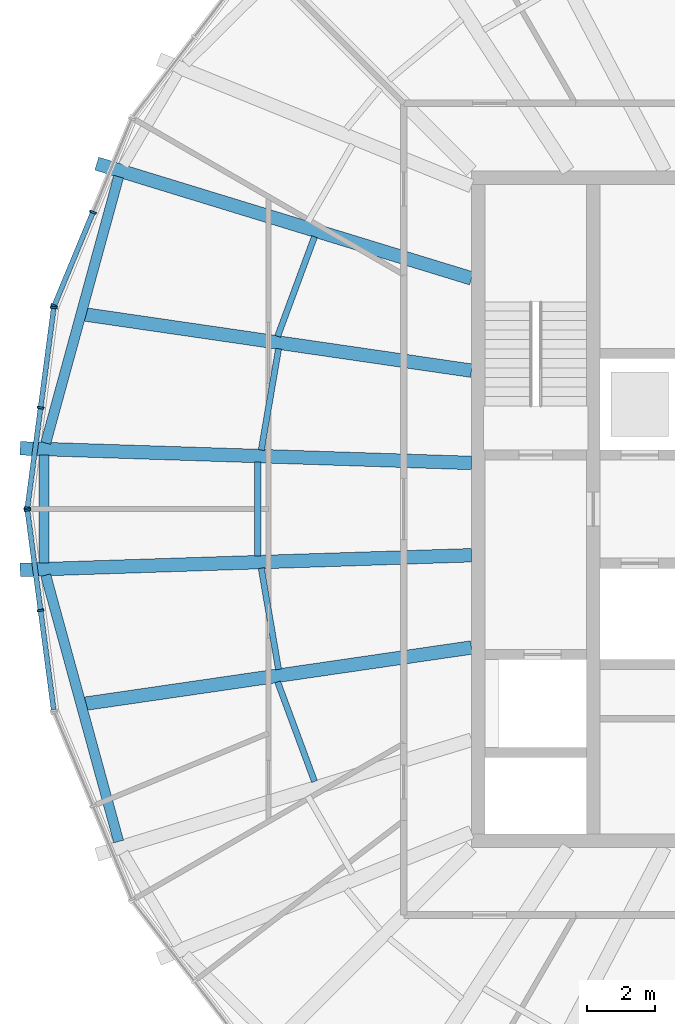
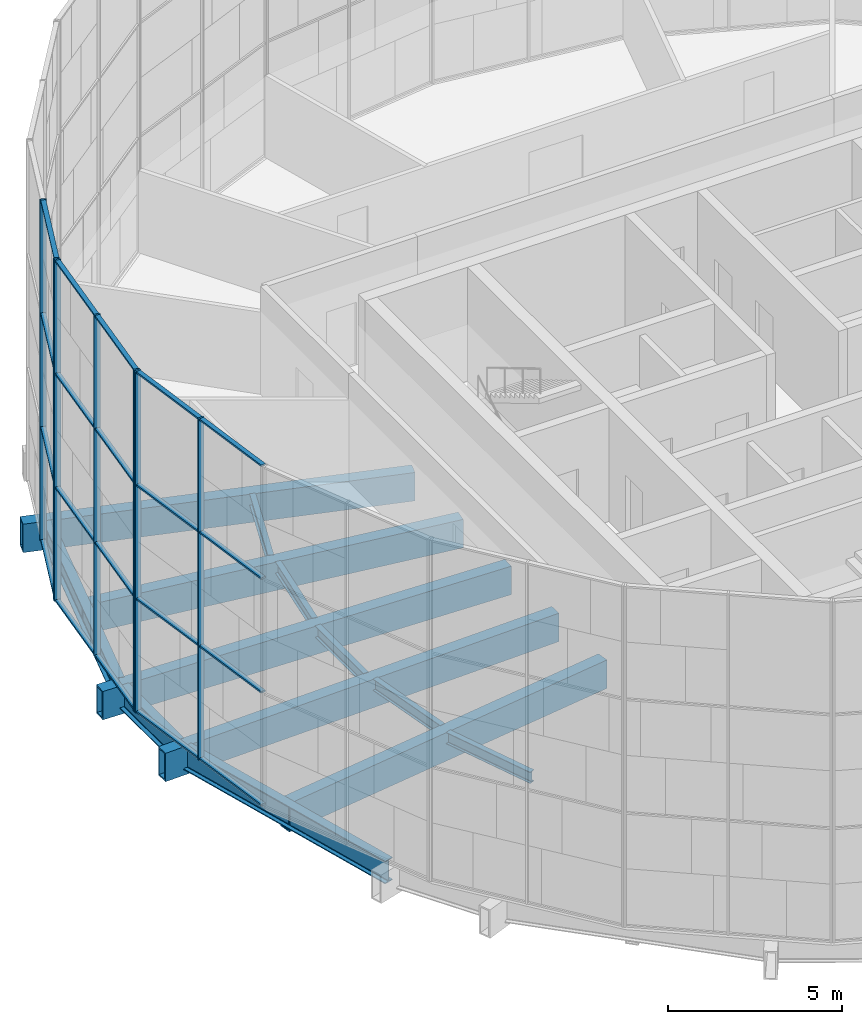
# One storey, part 3 of 23: 27 members, 13 beams, 3 elements without a shape of their own.
"""IFC4 building model written with IfcOpenShell, lengths in metres."""

import ifcopenshell
import ifcopenshell.guid

model = None  # the IFC model being written
_history = None  # IfcOwnerHistory: only IFC2X3 demands one
_inside = {}  # id of a spatial element -> (the spatial element, [elements in it])
_under = {}  # id of a project, library or spatial element -> (it, [spatial elements below it])
_declared = {}  # id of a project -> (the project, [libraries it declares])
_typed = {}  # id of a type object -> (the type object, [elements of that type])
_made_of = {}  # id of a material, layer set ... -> (it, [elements and type objects made of it])


def new_model(schema):
    """Start an empty IFC model of exactly this schema.

    Asked for "IFC4X3", IfcOpenShell would pick the latest addendum, in which some entities
    have other attributes; the version numbers below select the first issue.
    IFC2X3 requires an IfcOwnerHistory on every rooted entity: one is made here for all.
    """
    global model, _history
    if schema == "IFC4X3":
        model = ifcopenshell.file(schema_version=(4, 3, 0, 0))
    else:
        model = ifcopenshell.file(schema=schema)
    _inside.clear()
    _under.clear()
    _declared.clear()
    _typed.clear()
    _made_of.clear()
    _history = None
    if model.schema == "IFC2X3":
        org = make("IfcOrganization", Name="unknown")
        user = make(
            "IfcPersonAndOrganization",
            ThePerson=make("IfcPerson", FamilyName="unknown"),
            TheOrganization=org,
        )
        app = make(
            "IfcApplication",
            ApplicationDeveloper=org,
            Version="unknown",
            ApplicationFullName="unknown",
            ApplicationIdentifier="unknown",
        )
        _history = make(
            "IfcOwnerHistory",
            OwningUser=user,
            OwningApplication=app,
            ChangeAction="ADDED",
            CreationDate=0,
        )
    return model


def make(cls, **values):
    """One entity of the class cls with the attributes given. An attribute that is None is left unset."""
    return model.create_entity(
        cls, **{name: value for name, value in values.items() if value is not None}
    )


def rooted(cls, **values):
    """An entity with a GlobalId (a new one), such as an element, a storey or a relation."""
    return make(cls, GlobalId=ifcopenshell.guid.new(), OwnerHistory=_history, **values)


def si_unit(unit_type, name, prefix=None):
    """IfcSIUnit, for example si_unit("LENGTHUNIT", "METRE", prefix="MILLI")."""
    return make("IfcSIUnit", UnitType=unit_type, Prefix=prefix, Name=name)


def assignment(units):
    """IfcUnitAssignment: the units of a project."""
    return None if units is None else make("IfcUnitAssignment", Units=units)


def point(xyz):
    """IfcCartesianPoint."""
    return None if xyz is None else make("IfcCartesianPoint", Coordinates=xyz)


def direction(xyz):
    """IfcDirection."""
    return None if xyz is None else make("IfcDirection", DirectionRatios=xyz)


def frame(location, z_axis=None, x_axis=None):
    """IfcAxis2Placement3D, a coordinate frame: its origin and axes. An axis left out is left unset."""
    return make(
        "IfcAxis2Placement3D",
        Location=point(location),
        Axis=direction(z_axis),
        RefDirection=direction(x_axis),
    )


def frame_2d(location, x_axis=None):
    """IfcAxis2Placement2D, a coordinate frame in the plane: its origin and x axis."""
    return make(
        "IfcAxis2Placement2D", Location=point(location), RefDirection=direction(x_axis)
    )


def origin():
    """The frame at (0, 0, 0) with its axes left unset."""
    return frame((0.0, 0.0, 0.0))


def origin_2d():
    """The frame at (0, 0) in the plane with its x axis left unset."""
    return frame_2d((0.0, 0.0))


def place(relative_to, where):
    """IfcLocalPlacement: puts the frame where relative to a parent placement (None: the world)."""
    return make(
        "IfcLocalPlacement", PlacementRelTo=relative_to, RelativePlacement=where
    )


def context(
    kind, dimensions, precision=None, world=None, true_north=None, identifier=None
):
    """IfcGeometricRepresentationContext, for example the 3D "Model" context."""
    return make(
        "IfcGeometricRepresentationContext",
        ContextIdentifier=identifier,
        ContextType=kind,
        CoordinateSpaceDimension=dimensions,
        Precision=precision,
        WorldCoordinateSystem=world,
        TrueNorth=true_north,
    )


def subcontext(parent, identifier, kind, view, scale=None):
    """IfcGeometricRepresentationSubContext, for example "Body" below "Model"."""
    return make(
        "IfcGeometricRepresentationSubContext",
        ContextIdentifier=identifier,
        ContextType=kind,
        ParentContext=parent,
        TargetScale=scale,
        TargetView=view,
    )


def project(units=None, contexts=None):
    """IfcProject with its units and contexts."""
    return rooted(
        "IfcProject",
        Name="project",
        RepresentationContexts=contexts,
        UnitsInContext=assignment(units),
    )


def spatial(cls, under=None, at=None, **own):
    """A site, building, storey or space (cls), placed at a placement, below another one or the project."""
    s = rooted(cls, ObjectPlacement=at, **own)
    if under is not None:
        _under.setdefault(under.id(), (under, []))[1].append(s)
    return s


def profile(cls, at=None, kind="AREA", **sizes):
    """A parametric profile (cls). Its sizes go by their IFC names, for example OverallWidth=200.0."""
    return make(cls, ProfileType=kind, Position=at, **sizes)


def rectangle(**sizes):
    """IfcRectangleProfileDef."""
    return profile("IfcRectangleProfileDef", **sizes)


def hollow_rectangle(**sizes):
    """IfcRectangleHollowProfileDef."""
    return profile("IfcRectangleHollowProfileDef", **sizes)


def i_section(**sizes):
    """IfcIShapeProfileDef."""
    return profile("IfcIShapeProfileDef", **sizes)


def extrude(swept, where, along, depth):
    """IfcExtrudedAreaSolid: the profile swept, set in the frame where, extruded along a direction by depth."""
    return make(
        "IfcExtrudedAreaSolid",
        SweptArea=swept,
        Position=where,
        ExtrudedDirection=direction(along),
        Depth=depth,
    )


def shape(context_of_items, identifier, shape_type, items):
    """IfcShapeRepresentation: the items that make up one representation, for example the "Body"."""
    return make(
        "IfcShapeRepresentation",
        ContextOfItems=context_of_items,
        RepresentationIdentifier=identifier,
        RepresentationType=shape_type,
        Items=items,
    )


def material(Name=None, Category=None):
    """IfcMaterial."""
    return make("IfcMaterial", Name=Name, Category=Category)


def material_profile(
    of_material, cross_section, Name=None, Category=None, Priority=None
):
    """IfcMaterialProfile: a cross section and its material."""
    return make(
        "IfcMaterialProfile",
        Name=Name,
        Material=of_material,
        Profile=cross_section,
        Priority=Priority,
        Category=Category,
    )


def profile_set(profiles, Name=None, composite=None):
    """IfcMaterialProfileSet."""
    return make(
        "IfcMaterialProfileSet",
        Name=Name,
        MaterialProfiles=profiles,
        CompositeProfile=composite,
    )


def made_of(thing, what):
    """Note that an element or type object is made of a material, layer set ...; save() writes the relation."""
    if what is not None:
        _made_of.setdefault(what.id(), (what, []))[1].append(thing)
    return thing


def type_object(cls, material=None, **own):
    """A type object (cls), such as IfcWallType, which elements share."""
    return made_of(rooted(cls, **own), material)


def element(
    cls,
    number,
    at=None,
    inside=None,
    cuts=None,
    type_object=None,
    material=None,
    context=None,
    identifier="Body",
    shape_type=None,
    held_by="IfcProductDefinitionShape",
    body=None,
    shapes=None,
    **own,
):
    """One element of the class cls, such as IfcWall. Its Tag is "e" and its number.

    at: its placement. inside: the storey or other place that contains it. cuts: it is an
    opening in that element (IfcRelVoidsElement). A single representation is given by context,
    identifier, shape_type and body (its items); several are given by shapes. held_by: the class
    of the entity that holds the representations. save() writes the other relations.
    """
    e = rooted(cls, Tag="e%d" % number, ObjectPlacement=at, **own)
    if body is not None:
        shapes = [shape(context, identifier, shape_type, body)]
    if shapes is not None:
        e.Representation = make(held_by, Representations=shapes)
    if inside is not None:
        _inside.setdefault(inside.id(), (inside, []))[1].append(e)
    if cuts is not None:
        rooted(
            "IfcRelVoidsElement", RelatingBuildingElement=cuts, RelatedOpeningElement=e
        )
    if type_object is not None:
        _typed.setdefault(type_object.id(), (type_object, []))[1].append(e)
    return made_of(e, material)


def aggregate(whole, parts):
    """IfcRelAggregates: a whole, such as a stair, and the parts it consists of."""
    return rooted("IfcRelAggregates", RelatingObject=whole, RelatedObjects=parts)


def save(model, path):
    """Write the relations noted so far, then the file.

    IfcRelAggregates (storeys below a building ...), IfcRelContainedInSpatialStructure (elements
    in a storey), IfcRelDefinesByType, IfcRelAssociatesMaterial and IfcRelDeclares: one each for
    every whole, place, type object, material and project.
    """
    for whole, parts in _under.values():
        aggregate(whole, parts)
    for where, things in _inside.values():
        rooted(
            "IfcRelContainedInSpatialStructure",
            RelatedElements=things,
            RelatingStructure=where,
        )
    for kind, things in _typed.values():
        rooted("IfcRelDefinesByType", RelatedObjects=things, RelatingType=kind)
    for what, things in _made_of.values():
        rooted("IfcRelAssociatesMaterial", RelatedObjects=things, RelatingMaterial=what)
    for by, libraries in _declared.values():
        rooted("IfcRelDeclares", RelatingContext=by, RelatedDefinitions=libraries)
    model.write(path)


model = new_model("IFC4")

# Units and contexts
model_context = context("Model", 3, precision=1e-05, world=origin(), true_north=direction((0.0, 1.0)))
body_context = subcontext(model_context, "Body", "Model", "MODEL_VIEW")
ifc_project = project(units=[si_unit("LENGTHUNIT", "METRE"), si_unit("AREAUNIT", "SQUARE_METRE"), si_unit("VOLUMEUNIT", "CUBIC_METRE"), si_unit("PLANEANGLEUNIT", "RADIAN"), si_unit("MASSUNIT", "GRAM", prefix="KILO")], contexts=[model_context])

# Site, building, storey
site_placement = place(None, origin())
site = spatial("IfcSite", under=ifc_project, at=site_placement, CompositionType="ELEMENT")
building_placement = place(site_placement, origin())
building = spatial("IfcBuilding", under=site, at=building_placement, Name="Golbaran Civic Tower", CompositionType="ELEMENT")
storey_placement = place(building_placement, frame((0.0, 0.0, 220.0)))
storey = spatial("IfcBuildingStorey", under=building, at=storey_placement, Name="L53", CompositionType="ELEMENT", Elevation=220.0)

# Beams
ifc_material_1 = material(Name="Steel S355", Category="steel")
ifc_material_profile_1 = material_profile(ifc_material_1, i_section(OverallWidth=0.300048828125, OverallDepth=0.800048828125, WebThickness=0.017578125, FlangeThickness=0.032958984375, FilletRadius=0.030029296875, at=origin_2d()), Name="HEB 800")
ifc_profile_set_1 = profile_set([ifc_material_profile_1], Name="Steel S355")
beam_type_1 = type_object("IfcBeamType", Name="EDGE BEAM HEB 800", PredefinedType="BEAM", material=ifc_profile_set_1)
beam_1_placement = place(storey_placement, frame((-20.431640625, 9.8291015625, -0.60009765625), z_axis=(-0.264038175498, -0.964512230031, 0.0), x_axis=(0.964512230031, -0.264038175498, 0.0)))
element("IfcBeam", 1, at=beam_1_placement, inside=storey, type_object=beam_type_1, Name="Edge beam 154.35 L53", PredefinedType="BEAM", context=body_context, shape_type="SweptSolid", body=[
    extrude(i_section(OverallWidth=0.300048828125, OverallDepth=0.800048828125, WebThickness=0.017578125, FlangeThickness=0.032958984375, FilletRadius=0.030029296875, at=origin_2d()), origin(), (0.0, 0.0, 1.0), 8.16552734375),
])
beam_2_placement = place(storey_placement, frame((-22.63671875, 1.5947265625, -0.60009765625), z_axis=(0.0, -1.0, 0.0), x_axis=(1.0, 0.0, 0.0)))
element("IfcBeam", 2, at=beam_2_placement, inside=storey, type_object=beam_type_1, Name="Edge beam 175.65 L53", PredefinedType="BEAM", context=body_context, shape_type="SweptSolid", body=[
    extrude(i_section(OverallWidth=0.300048828125, OverallDepth=0.800048828125, WebThickness=0.017578125, FlangeThickness=0.032958984375, FilletRadius=0.030029296875, at=origin_2d()), origin(), (0.0, 0.0, 1.0), 3.189453125),
])
beam_3_placement = place(storey_placement, frame((-22.587646484375, -1.953369140625, -0.60009765625), z_axis=(0.264038175498, -0.964512230031, 0.0), x_axis=(0.964512230031, 0.264038175498, 0.0)))
element("IfcBeam", 3, at=beam_3_placement, inside=storey, type_object=beam_type_1, Name="Edge beam 184.35 L53", PredefinedType="BEAM", context=body_context, shape_type="SweptSolid", body=[
    extrude(i_section(OverallWidth=0.300048828125, OverallDepth=0.800048828125, WebThickness=0.017578125, FlangeThickness=0.032958984375, FilletRadius=0.030029296875, at=origin_2d()), origin(), (0.0, 0.0, 1.0), 8.16552734375),
])
ifc_material_profile_2 = material_profile(ifc_material_1, i_section(OverallWidth=0.179931640625, OverallDepth=0.39990234375, WebThickness=0.008544921875, FlangeThickness=0.013427734375, FilletRadius=0.02099609375, at=origin_2d()), Name="IPE 400")
ifc_profile_set_2 = profile_set([ifc_material_profile_2], Name="Steel S355")
beam_type_2 = type_object("IfcBeamType", Name="FLOOR INFILL BEAM IPE 400", PredefinedType="BEAM", material=ifc_profile_set_2)
beam_4_placement = place(storey_placement, frame((-14.6396484375, 8.0546875, -0.39990234375), z_axis=(-0.347364974804, -0.9377300114, 0.0), x_axis=(0.9377300114, -0.347364974804, 0.0)))
element("IfcBeam", 4, at=beam_4_placement, inside=storey, type_object=beam_type_2, Name="Infill beam 159.67 L53", PredefinedType="BEAM", context=body_context, shape_type="SweptSolid", body=[
    extrude(i_section(OverallWidth=0.179931640625, OverallDepth=0.39990234375, WebThickness=0.008544921875, FlangeThickness=0.013427734375, FilletRadius=0.02099609375, at=origin_2d()), origin(), (0.0, 0.0, 1.0), 3.1416015625),
])
beam_5_placement = place(storey_placement, frame((-15.703857421875, 4.740966796875, -0.39990234375), z_axis=(-0.168046948827, -0.985778992975, 0.0), x_axis=(0.985778992975, -0.168046948827, 0.0)))
element("IfcBeam", 5, at=beam_5_placement, inside=storey, type_object=beam_type_2, Name="Infill beam 170.33 L53", PredefinedType="BEAM", context=body_context, shape_type="SweptSolid", body=[
    extrude(i_section(OverallWidth=0.179931640625, OverallDepth=0.39990234375, WebThickness=0.008544921875, FlangeThickness=0.013427734375, FilletRadius=0.02099609375, at=origin_2d()), origin(), (0.0, 0.0, 1.0), 3.037841796875),
])
beam_6_placement = place(storey_placement, frame((-16.318359375, 1.389404296875, -0.39990234375), z_axis=(0.0, -1.0, 0.0), x_axis=(1.0, 0.0, 0.0)))
element("IfcBeam", 6, at=beam_6_placement, inside=storey, type_object=beam_type_2, Name="Infill beam 180.00 L53", PredefinedType="BEAM", context=body_context, shape_type="SweptSolid", body=[
    extrude(i_section(OverallWidth=0.179931640625, OverallDepth=0.39990234375, WebThickness=0.008544921875, FlangeThickness=0.013427734375, FilletRadius=0.02099609375, at=origin_2d()), origin(), (0.0, 0.0, 1.0), 2.77880859375),
])
beam_7_placement = place(storey_placement, frame((-16.21435546875, -1.746337890625, -0.39990234375), z_axis=(0.168046948827, -0.985778992975, 0.0), x_axis=(0.985778992975, 0.168046948827, 0.0)))
element("IfcBeam", 7, at=beam_7_placement, inside=storey, type_object=beam_type_2, Name="Infill beam 189.67 L53", PredefinedType="BEAM", context=body_context, shape_type="SweptSolid", body=[
    extrude(i_section(OverallWidth=0.179931640625, OverallDepth=0.39990234375, WebThickness=0.008544921875, FlangeThickness=0.013427734375, FilletRadius=0.02099609375, at=origin_2d()), origin(), (0.0, 0.0, 1.0), 3.037841796875),
])
beam_8_placement = place(storey_placement, frame((-15.73095703125, -5.108642578125, -0.39990234375), z_axis=(0.347364974804, -0.9377300114, 0.0), x_axis=(0.9377300114, 0.347364974804, 0.0)))
element("IfcBeam", 8, at=beam_8_placement, inside=storey, type_object=beam_type_2, Name="Infill beam 200.33 L53", PredefinedType="BEAM", context=body_context, shape_type="SweptSolid", body=[
    extrude(i_section(OverallWidth=0.179931640625, OverallDepth=0.39990234375, WebThickness=0.008544921875, FlangeThickness=0.013427734375, FilletRadius=0.02099609375, at=origin_2d()), origin(), (0.0, 0.0, 1.0), 3.1416015625),
])

# Curtain wall, members
ifc_material_2 = material(Name="Aluminium and glass", Category="aluminium")
curtain_wall_type = type_object("IfcCurtainWallType", Name="INNER SKIN CURTAIN WALL EXECUTIVE", PredefinedType="NOTDEFINED", material=ifc_material_2)
curtain_wall_1_placement = place(storey_placement, origin())
curtain_wall_1 = element("IfcCurtainWall", 9, at=curtain_wall_1_placement, inside=storey, type_object=curtain_wall_type, Name="Inner skin L53 facet 11 CW2", ObjectType="INNER SKIN", PredefinedType="USERDEFINED")
ifc_material_3 = material(Name="Aluminium", Category="aluminium")
ifc_material_profile_3 = material_profile(ifc_material_3, rectangle(XDim=0.199951171875, YDim=0.06005859375, at=origin_2d()), Name="INNER SKIN CURTAIN WALL EXECUTIVE MULLION")
ifc_profile_set_3 = profile_set([ifc_material_profile_3], Name="Aluminium")
member_type_1 = type_object("IfcMemberType", Name="INNER SKIN CURTAIN WALL EXECUTIVE MULLION", PredefinedType="MULLION", material=ifc_profile_set_3)
member_1_placement = place(storey_placement, frame((-21.190185546875, 8.77734375, 0.0), z_axis=(0.0, 0.0, 1.0), x_axis=(0.923879532531, -0.382683432317, 0.0)))
member_1 = element("IfcMember", 10, at=member_1_placement, type_object=member_type_1, Name="CW2 mullion 2", PredefinedType="MULLION", context=body_context, shape_type="SweptSolid", body=[
    extrude(rectangle(XDim=0.199951171875, YDim=0.06005859375, at=origin_2d()), origin(), (0.0, 0.0, 1.0), 12.0),
])
member_2_placement = place(storey_placement, frame((-22.334228515625, 6.01513671875, 0.0), z_axis=(0.0, 0.0, 1.0), x_axis=(0.923879532531, -0.382683432317, 0.0)))
member_2 = element("IfcMember", 11, at=member_2_placement, type_object=member_type_1, Name="CW2 mullion 3", PredefinedType="MULLION", context=body_context, shape_type="SweptSolid", body=[
    extrude(rectangle(XDim=0.199951171875, YDim=0.06005859375, at=origin_2d()), origin(), (0.0, 0.0, 1.0), 12.0),
])

curtain_wall_2_placement = place(storey_placement, origin())
curtain_wall_2 = element("IfcCurtainWall", 12, at=curtain_wall_2_placement, inside=storey, type_object=curtain_wall_type, Name="Inner skin L53 facet 12 CW2", ObjectType="INNER SKIN", PredefinedType="USERDEFINED")
member_3_placement = place(storey_placement, frame((-22.349609375, 5.957763671875, 0.0), z_axis=(0.0, 0.0, 1.0), x_axis=(0.991444861365, -0.130526192289, 0.0)))
member_3 = element("IfcMember", 13, at=member_3_placement, type_object=member_type_1, Name="CW2 mullion 1", PredefinedType="MULLION", context=body_context, shape_type="SweptSolid", body=[
    extrude(rectangle(XDim=0.199951171875, YDim=0.06005859375, at=origin_2d()), origin(), (0.0, 0.0, 1.0), 12.0),
])
member_4_placement = place(storey_placement, frame((-22.73974609375, 2.99365234375, 0.0), z_axis=(0.0, 0.0, 1.0), x_axis=(0.991444861365, -0.130526192289, 0.0)))
member_4 = element("IfcMember", 14, at=member_4_placement, type_object=member_type_1, Name="CW2 mullion 2", PredefinedType="MULLION", context=body_context, shape_type="SweptSolid", body=[
    extrude(rectangle(XDim=0.199951171875, YDim=0.06005859375, at=origin_2d()), origin(), (0.0, 0.0, 1.0), 12.0),
])
member_5_placement = place(storey_placement, frame((-23.130126953125, 0.02978515625, 0.0), z_axis=(0.0, 0.0, 1.0), x_axis=(0.991444861365, -0.130526192289, 0.0)))
member_5 = element("IfcMember", 15, at=member_5_placement, type_object=member_type_1, Name="CW2 mullion 3", PredefinedType="MULLION", context=body_context, shape_type="SweptSolid", body=[
    extrude(rectangle(XDim=0.199951171875, YDim=0.06005859375, at=origin_2d()), origin(), (0.0, 0.0, 1.0), 12.0),
])

curtain_wall_3_placement = place(storey_placement, origin())
curtain_wall_3 = element("IfcCurtainWall", 16, at=curtain_wall_3_placement, inside=storey, type_object=curtain_wall_type, Name="Inner skin L53 facet 13 CW2", ObjectType="INNER SKIN", PredefinedType="USERDEFINED")
member_6_placement = place(storey_placement, frame((-23.130126953125, -0.02978515625, 0.0), z_axis=(0.0, 0.0, 1.0), x_axis=(0.991444861365, 0.130526192289, 0.0)))
member_6 = element("IfcMember", 17, at=member_6_placement, type_object=member_type_1, Name="CW2 mullion 1", PredefinedType="MULLION", context=body_context, shape_type="SweptSolid", body=[
    extrude(rectangle(XDim=0.199951171875, YDim=0.06005859375, at=origin_2d()), origin(), (0.0, 0.0, 1.0), 12.0),
])
member_7_placement = place(storey_placement, frame((-22.73974609375, -2.99365234375, 0.0), z_axis=(0.0, 0.0, 1.0), x_axis=(0.991444861365, 0.130526192289, 0.0)))
member_7 = element("IfcMember", 18, at=member_7_placement, type_object=member_type_1, Name="CW2 mullion 2", PredefinedType="MULLION", context=body_context, shape_type="SweptSolid", body=[
    extrude(rectangle(XDim=0.199951171875, YDim=0.06005859375, at=origin_2d()), origin(), (0.0, 0.0, 1.0), 12.0),
])

# Member
ifc_material_profile_4 = material_profile(ifc_material_3, rectangle(XDim=0.14990234375, YDim=0.06005859375, at=origin_2d()), Name="INNER SKIN CURTAIN WALL EXECUTIVE TRANSOM")
ifc_profile_set_4 = profile_set([ifc_material_profile_4], Name="Aluminium")
member_type_2 = type_object("IfcMemberType", Name="INNER SKIN CURTAIN WALL EXECUTIVE TRANSOM", PredefinedType="USERDEFINED", material=ifc_profile_set_4)
member_8_placement = place(storey_placement, frame((-21.20166015625, 8.74951171875, 0.030029296875), z_axis=(-0.382685455921, -0.923878694324, 0.0), x_axis=(0.923878694324, -0.382685455921, 0.0)))
member_8 = element("IfcMember", 19, at=member_8_placement, type_object=member_type_2, Name="CW2 transom 2.1", ObjectType="TRANSOM", PredefinedType="USERDEFINED", context=body_context, shape_type="SweptSolid", body=[
    extrude(rectangle(XDim=0.14990234375, YDim=0.06005859375, at=origin_2d()), origin(), (0.0, 0.0, 1.0), 2.929443359375),
])

member_9_placement = place(storey_placement, frame((-21.20166015625, 8.74951171875, 4.0), z_axis=(-0.382685455921, -0.923878694324, 0.0), x_axis=(0.923878694324, -0.382685455921, 0.0)))
member_9 = element("IfcMember", 20, at=member_9_placement, type_object=member_type_2, Name="CW2 transom 2.2", ObjectType="TRANSOM", PredefinedType="USERDEFINED", context=body_context, shape_type="SweptSolid", body=[
    extrude(rectangle(XDim=0.14990234375, YDim=0.06005859375, at=origin_2d()), origin(), (0.0, 0.0, 1.0), 2.929443359375),
])

member_10_placement = place(storey_placement, frame((-21.20166015625, 8.74951171875, 8.0), z_axis=(-0.382685455921, -0.923878694324, 0.0), x_axis=(0.923878694324, -0.382685455921, 0.0)))
member_10 = element("IfcMember", 21, at=member_10_placement, type_object=member_type_2, Name="CW2 transom 2.3", ObjectType="TRANSOM", PredefinedType="USERDEFINED", context=body_context, shape_type="SweptSolid", body=[
    extrude(rectangle(XDim=0.14990234375, YDim=0.06005859375, at=origin_2d()), origin(), (0.0, 0.0, 1.0), 2.929443359375),
])

member_11_placement = place(storey_placement, frame((-21.20166015625, 8.74951171875, 11.969970703125), z_axis=(-0.382685455921, -0.923878694324, 0.0), x_axis=(0.923878694324, -0.382685455921, 0.0)))
member_11 = element("IfcMember", 22, at=member_11_placement, type_object=member_type_2, Name="CW2 transom 2.4", ObjectType="TRANSOM", PredefinedType="USERDEFINED", context=body_context, shape_type="SweptSolid", body=[
    extrude(rectangle(XDim=0.14990234375, YDim=0.06005859375, at=origin_2d()), origin(), (0.0, 0.0, 1.0), 2.929443359375),
])

aggregate(curtain_wall_1, [member_1, member_2, member_8, member_9, member_10, member_11])

member_12_placement = place(storey_placement, frame((-22.353515625, 5.927978515625, 0.030029296875), z_axis=(-0.130504094177, -0.991447770386, 0.0), x_axis=(0.991447770386, -0.130504094177, 0.0)))
member_12 = element("IfcMember", 23, at=member_12_placement, type_object=member_type_2, Name="CW2 transom 1.1", ObjectType="TRANSOM", PredefinedType="USERDEFINED", context=body_context, shape_type="SweptSolid", body=[
    extrude(rectangle(XDim=0.14990234375, YDim=0.06005859375, at=origin_2d()), origin(), (0.0, 0.0, 1.0), 2.9296875),
])

member_13_placement = place(storey_placement, frame((-22.353515625, 5.927978515625, 4.0), z_axis=(-0.130504094177, -0.991447770386, 0.0), x_axis=(0.991447770386, -0.130504094177, 0.0)))
member_13 = element("IfcMember", 24, at=member_13_placement, type_object=member_type_2, Name="CW2 transom 1.2", ObjectType="TRANSOM", PredefinedType="USERDEFINED", context=body_context, shape_type="SweptSolid", body=[
    extrude(rectangle(XDim=0.14990234375, YDim=0.06005859375, at=origin_2d()), origin(), (0.0, 0.0, 1.0), 2.9296875),
])

member_14_placement = place(storey_placement, frame((-22.353515625, 5.927978515625, 8.0), z_axis=(-0.130504094177, -0.991447770386, 0.0), x_axis=(0.991447770386, -0.130504094177, 0.0)))
member_14 = element("IfcMember", 25, at=member_14_placement, type_object=member_type_2, Name="CW2 transom 1.3", ObjectType="TRANSOM", PredefinedType="USERDEFINED", context=body_context, shape_type="SweptSolid", body=[
    extrude(rectangle(XDim=0.14990234375, YDim=0.06005859375, at=origin_2d()), origin(), (0.0, 0.0, 1.0), 2.9296875),
])

member_15_placement = place(storey_placement, frame((-22.353515625, 5.927978515625, 11.969970703125), z_axis=(-0.130504094177, -0.991447770386, 0.0), x_axis=(0.991447770386, -0.130504094177, 0.0)))
member_15 = element("IfcMember", 26, at=member_15_placement, type_object=member_type_2, Name="CW2 transom 1.4", ObjectType="TRANSOM", PredefinedType="USERDEFINED", context=body_context, shape_type="SweptSolid", body=[
    extrude(rectangle(XDim=0.14990234375, YDim=0.06005859375, at=origin_2d()), origin(), (0.0, 0.0, 1.0), 2.9296875),
])

member_16_placement = place(storey_placement, frame((-22.743896484375, 2.964111328125, 0.030029296875), z_axis=(-0.130504094177, -0.991447770386, 0.0), x_axis=(0.991447770386, -0.130504094177, 0.0)))
member_16 = element("IfcMember", 27, at=member_16_placement, type_object=member_type_2, Name="CW2 transom 2.1", ObjectType="TRANSOM", PredefinedType="USERDEFINED", context=body_context, shape_type="SweptSolid", body=[
    extrude(rectangle(XDim=0.14990234375, YDim=0.06005859375, at=origin_2d()), origin(), (0.0, 0.0, 1.0), 2.9296875),
])

member_17_placement = place(storey_placement, frame((-22.743896484375, 2.964111328125, 4.0), z_axis=(-0.130504094177, -0.991447770386, 0.0), x_axis=(0.991447770386, -0.130504094177, 0.0)))
member_17 = element("IfcMember", 28, at=member_17_placement, type_object=member_type_2, Name="CW2 transom 2.2", ObjectType="TRANSOM", PredefinedType="USERDEFINED", context=body_context, shape_type="SweptSolid", body=[
    extrude(rectangle(XDim=0.14990234375, YDim=0.06005859375, at=origin_2d()), origin(), (0.0, 0.0, 1.0), 2.9296875),
])

member_18_placement = place(storey_placement, frame((-22.743896484375, 2.964111328125, 8.0), z_axis=(-0.130504094177, -0.991447770386, 0.0), x_axis=(0.991447770386, -0.130504094177, 0.0)))
member_18 = element("IfcMember", 29, at=member_18_placement, type_object=member_type_2, Name="CW2 transom 2.3", ObjectType="TRANSOM", PredefinedType="USERDEFINED", context=body_context, shape_type="SweptSolid", body=[
    extrude(rectangle(XDim=0.14990234375, YDim=0.06005859375, at=origin_2d()), origin(), (0.0, 0.0, 1.0), 2.9296875),
])

member_19_placement = place(storey_placement, frame((-22.743896484375, 2.964111328125, 11.969970703125), z_axis=(-0.130504094177, -0.991447770386, 0.0), x_axis=(0.991447770386, -0.130504094177, 0.0)))
member_19 = element("IfcMember", 30, at=member_19_placement, type_object=member_type_2, Name="CW2 transom 2.4", ObjectType="TRANSOM", PredefinedType="USERDEFINED", context=body_context, shape_type="SweptSolid", body=[
    extrude(rectangle(XDim=0.14990234375, YDim=0.06005859375, at=origin_2d()), origin(), (0.0, 0.0, 1.0), 2.9296875),
])

aggregate(curtain_wall_2, [member_3, member_4, member_5, member_12, member_13, member_14, member_15, member_16, member_17, member_18, member_19])

member_20_placement = place(storey_placement, frame((-23.126220703125, -0.0595703125, 0.030029296875), z_axis=(0.130504094177, -0.991447770386, 0.0), x_axis=(0.991447770386, 0.130504094177, 0.0)))
member_20 = element("IfcMember", 31, at=member_20_placement, type_object=member_type_2, Name="CW2 transom 1.1", ObjectType="TRANSOM", PredefinedType="USERDEFINED", context=body_context, shape_type="SweptSolid", body=[
    extrude(rectangle(XDim=0.14990234375, YDim=0.06005859375, at=origin_2d()), origin(), (0.0, 0.0, 1.0), 2.9296875),
])

member_21_placement = place(storey_placement, frame((-23.126220703125, -0.0595703125, 4.0), z_axis=(0.130504094177, -0.991447770386, 0.0), x_axis=(0.991447770386, 0.130504094177, 0.0)))
member_21 = element("IfcMember", 32, at=member_21_placement, type_object=member_type_2, Name="CW2 transom 1.2", ObjectType="TRANSOM", PredefinedType="USERDEFINED", context=body_context, shape_type="SweptSolid", body=[
    extrude(rectangle(XDim=0.14990234375, YDim=0.06005859375, at=origin_2d()), origin(), (0.0, 0.0, 1.0), 2.9296875),
])

member_22_placement = place(storey_placement, frame((-23.126220703125, -0.0595703125, 8.0), z_axis=(0.130504094177, -0.991447770386, 0.0), x_axis=(0.991447770386, 0.130504094177, 0.0)))
member_22 = element("IfcMember", 33, at=member_22_placement, type_object=member_type_2, Name="CW2 transom 1.3", ObjectType="TRANSOM", PredefinedType="USERDEFINED", context=body_context, shape_type="SweptSolid", body=[
    extrude(rectangle(XDim=0.14990234375, YDim=0.06005859375, at=origin_2d()), origin(), (0.0, 0.0, 1.0), 2.9296875),
])

member_23_placement = place(storey_placement, frame((-23.126220703125, -0.0595703125, 11.969970703125), z_axis=(0.130504094177, -0.991447770386, 0.0), x_axis=(0.991447770386, 0.130504094177, 0.0)))
member_23 = element("IfcMember", 34, at=member_23_placement, type_object=member_type_2, Name="CW2 transom 1.4", ObjectType="TRANSOM", PredefinedType="USERDEFINED", context=body_context, shape_type="SweptSolid", body=[
    extrude(rectangle(XDim=0.14990234375, YDim=0.06005859375, at=origin_2d()), origin(), (0.0, 0.0, 1.0), 2.9296875),
])

member_24_placement = place(storey_placement, frame((-22.73583984375, -3.0234375, 0.030029296875), z_axis=(0.130504094177, -0.991447770386, 0.0), x_axis=(0.991447770386, 0.130504094177, 0.0)))
member_24 = element("IfcMember", 35, at=member_24_placement, type_object=member_type_2, Name="CW2 transom 2.1", ObjectType="TRANSOM", PredefinedType="USERDEFINED", context=body_context, shape_type="SweptSolid", body=[
    extrude(rectangle(XDim=0.14990234375, YDim=0.06005859375, at=origin_2d()), origin(), (0.0, 0.0, 1.0), 2.9296875),
])

member_25_placement = place(storey_placement, frame((-22.73583984375, -3.0234375, 4.0), z_axis=(0.130504094177, -0.991447770386, 0.0), x_axis=(0.991447770386, 0.130504094177, 0.0)))
member_25 = element("IfcMember", 36, at=member_25_placement, type_object=member_type_2, Name="CW2 transom 2.2", ObjectType="TRANSOM", PredefinedType="USERDEFINED", context=body_context, shape_type="SweptSolid", body=[
    extrude(rectangle(XDim=0.14990234375, YDim=0.06005859375, at=origin_2d()), origin(), (0.0, 0.0, 1.0), 2.9296875),
])

member_26_placement = place(storey_placement, frame((-22.73583984375, -3.0234375, 8.0), z_axis=(0.130504094177, -0.991447770386, 0.0), x_axis=(0.991447770386, 0.130504094177, 0.0)))
member_26 = element("IfcMember", 37, at=member_26_placement, type_object=member_type_2, Name="CW2 transom 2.3", ObjectType="TRANSOM", PredefinedType="USERDEFINED", context=body_context, shape_type="SweptSolid", body=[
    extrude(rectangle(XDim=0.14990234375, YDim=0.06005859375, at=origin_2d()), origin(), (0.0, 0.0, 1.0), 2.9296875),
])

member_27_placement = place(storey_placement, frame((-22.73583984375, -3.0234375, 11.969970703125), z_axis=(0.130504094177, -0.991447770386, 0.0), x_axis=(0.991447770386, 0.130504094177, 0.0)))
member_27 = element("IfcMember", 38, at=member_27_placement, type_object=member_type_2, Name="CW2 transom 2.4", ObjectType="TRANSOM", PredefinedType="USERDEFINED", context=body_context, shape_type="SweptSolid", body=[
    extrude(rectangle(XDim=0.14990234375, YDim=0.06005859375, at=origin_2d()), origin(), (0.0, 0.0, 1.0), 2.9296875),
])

aggregate(curtain_wall_3, [member_6, member_7, member_20, member_21, member_22, member_23, member_24, member_25, member_26, member_27])

# Beams
ifc_material_profile_5 = material_profile(ifc_material_1, hollow_rectangle(XDim=0.39990234375, YDim=1.0, WallThickness=0.050048828125, at=origin_2d()), Name="BOX 1000x400x50")
ifc_profile_set_5 = profile_set([ifc_material_profile_5], Name="Steel S355")
beam_type_3 = type_object("IfcBeamType", Name="RADIAL FLOOR BEAM BOX 1000x400x50", PredefinedType="BEAM", material=ifc_profile_set_5)
beam_9_placement = place(storey_placement, frame((-10.0, 6.821533203125, -0.7099609375), z_axis=(-0.956138192385, 0.29291595563, 0.0), x_axis=(-0.29291595563, -0.956138192385, 0.0)))
element("IfcBeam", 39, at=beam_9_placement, inside=storey, type_object=beam_type_3, Name="Radial beam 154.35 L53", PredefinedType="BEAM", context=body_context, shape_type="SweptSolid", body=[
    extrude(hollow_rectangle(XDim=0.39990234375, YDim=1.0, WallThickness=0.050048828125, at=origin_2d()), origin(), (0.0, 0.0, 1.0), 11.587158203125),
])
for number, where, z_axis, x_axis, name in (
    (40, (-10.0, 1.3642578125, -0.7099609375), (-0.999472347928, 0.032481159581, 0.0), (-0.032481159581, -0.999472347928, 0.0), "Radial beam 175.65 L53"),
    (41, (-10.0, -1.3642578125, -0.7099609375), (-0.999472347928, -0.032481159581, 0.0), (0.032481159581, -0.999472347928, 0.0), "Radial beam 184.35 L53"),
):
    element("IfcBeam", number, at=place(storey_placement, frame(where, z_axis=z_axis, x_axis=x_axis)), inside=storey, type_object=beam_type_3, Name=name, PredefinedType="BEAM", context=body_context, shape_type="SweptSolid", body=[
        extrude(hollow_rectangle(XDim=0.39990234375, YDim=1.0, WallThickness=0.050048828125, at=origin_2d()), origin(), (0.0, 0.0, 1.0), 13.34912109375),
    ])
ifc_material_profile_6 = material_profile(ifc_material_1, hollow_rectangle(XDim=0.39990234375, YDim=1.0, WallThickness=0.0400390625, at=origin_2d()), Name="BOX 1000x400x40")
ifc_profile_set_6 = profile_set([ifc_material_profile_6], Name="Steel S355")
beam_type_4 = type_object("IfcBeamType", Name="SECONDARY FLOOR BEAM BOX 1000x400x40", PredefinedType="BEAM", material=ifc_profile_set_6)
for number, where, z_axis, x_axis, name in (
    (42, (-10.0, 4.0927734375, -0.7099609375), (-0.989579445133, 0.14398792231, 0.0), (-0.14398792231, -0.989579445133, 0.0), "Secondary beam 165.00 L53"),
    (43, (-10.0, -4.0927734375, -0.7099609375), (-0.989579445133, -0.14398792231, 0.0), (0.14398792231, -0.989579445133, 0.0), "Secondary beam 195.00 L53"),
):
    element("IfcBeam", number, at=place(storey_placement, frame(where, z_axis=z_axis, x_axis=x_axis)), inside=storey, type_object=beam_type_4, Name=name, PredefinedType="BEAM", context=body_context, shape_type="SweptSolid", body=[
        extrude(hollow_rectangle(XDim=0.39990234375, YDim=1.0, WallThickness=0.0400390625, at=origin_2d()), origin(), (0.0, 0.0, 1.0), 11.663818359375),
    ])

save(model, "model.ifc")
